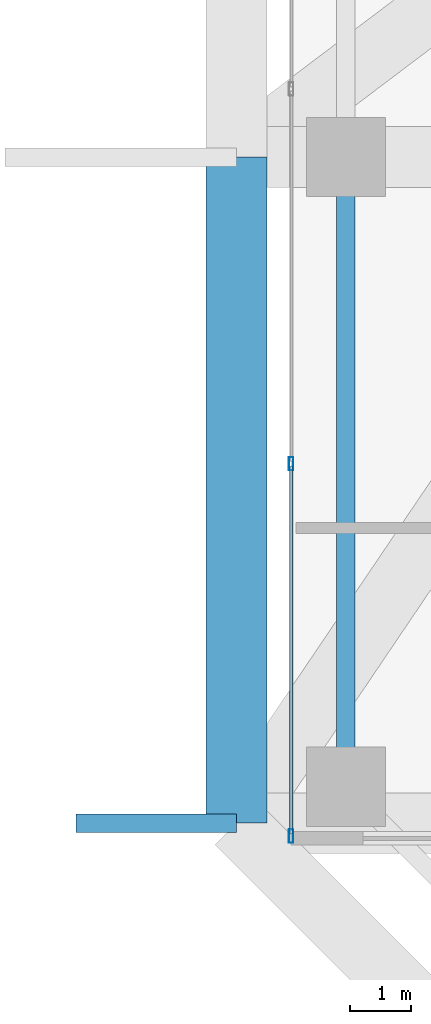
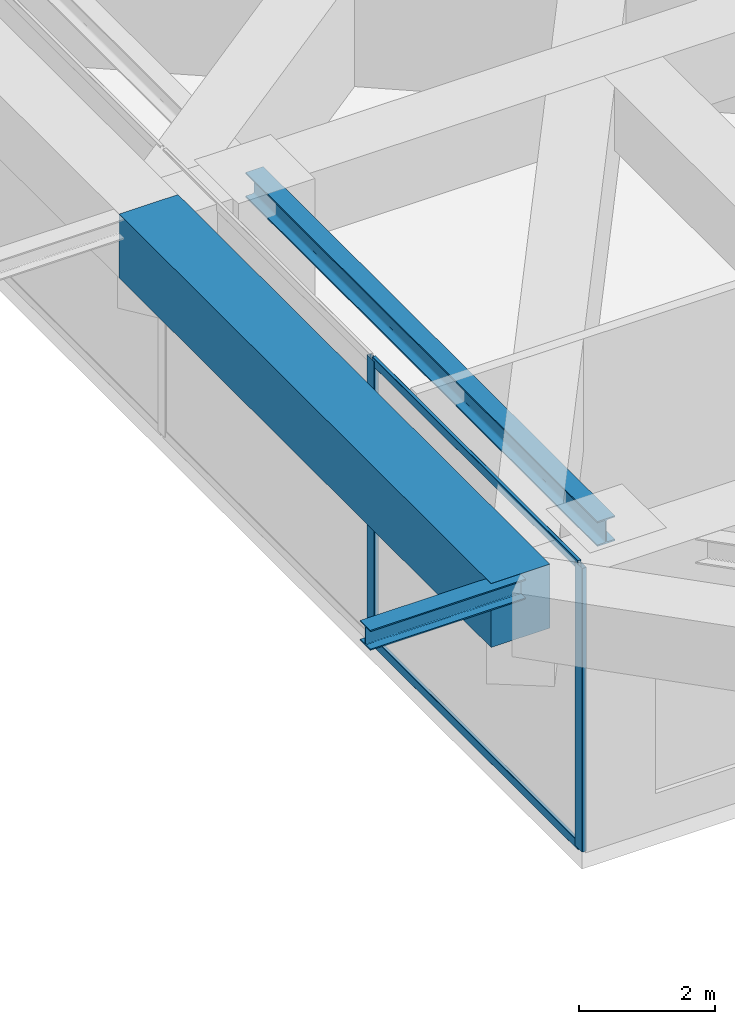
# One storey, part 3 of 38: 4 members, 3 beams, 1 element without a shape of its own.
"""IFC4 building model written with IfcOpenShell, lengths in metres."""

from ifc_helpers import new_model, si_unit, direction, frame, origin, origin_2d, place, context, subcontext, project, spatial, rectangle, hollow_rectangle, i_section, extrude, source, transform, mapped, material, layer, layer_set, material_profile, profile_set, type_object, element, aggregate, save


model = new_model("IFC4")

# Units and contexts
model_context = context("Model", 3, precision=1e-05, world=origin(), true_north=direction((0.0, 1.0)))
body_context = subcontext(model_context, "Body", "Model", "MODEL_VIEW")
ifc_project = project(units=[si_unit("LENGTHUNIT", "METRE"), si_unit("AREAUNIT", "SQUARE_METRE"), si_unit("VOLUMEUNIT", "CUBIC_METRE"), si_unit("PLANEANGLEUNIT", "RADIAN"), si_unit("MASSUNIT", "GRAM", prefix="KILO")], contexts=[model_context])

# Site, building, storey
site_placement = place(None, origin())
site = spatial("IfcSite", under=ifc_project, at=site_placement, CompositionType="ELEMENT")
building_placement = place(site_placement, origin())
building = spatial("IfcBuilding", under=site, at=building_placement, Name="Serunith Strait Residences", CompositionType="ELEMENT")
storey_placement = place(building_placement, frame((0.0, 0.0, 204.89990234375)))
storey = spatial("IfcBuildingStorey", under=building, at=storey_placement, Name="L51", CompositionType="ELEMENT", Elevation=204.89990234375)

# Beams
ifc_material_1 = material(Name="Steel S355J2", Category="steel")
ifc_material_profile_1 = material_profile(ifc_material_1, i_section(OverallWidth=0.300048828125, OverallDepth=0.449951171875, WebThickness=0.013916015625, FlangeThickness=0.02587890625, FilletRadius=0.027099609375, at=origin_2d()), Name="HEB 450")
ifc_profile_set_1 = profile_set([ifc_material_profile_1], Name="Steel S355J2")
beam_type_1 = type_object("IfcBeamType", Name="BM-HEB450", PredefinedType="BEAM", material=ifc_profile_set_1)
shared_shape_1 = source(origin(), body_context, "Body", "SweptSolid", [
    extrude(i_section(OverallWidth=0.300048828125, OverallDepth=0.449951171875, WebThickness=0.013916015625, FlangeThickness=0.02587890625, FilletRadius=0.027099609375, at=origin_2d()), origin(), (0.0, 0.0, 1.0), 10.35009765625),
])
beam_1_placement = place(storey_placement, frame((10.10009765625, 21.0, 4.882080078125), z_axis=(0.0, -1.0, 0.0), x_axis=(1.0, 0.0, 0.0)))
element("IfcBeam", 1, at=beam_1_placement, inside=storey, type_object=beam_type_1, Name="L51 Perimeter Ring Beam 15", PredefinedType="BEAM", context=body_context, shape_type="MappedRepresentation", body=[
    mapped(shared_shape_1, transform((0.0, 0.0, 0.0), scale=1.0)),
])
ifc_material_2 = material(Name="Concrete C80/95", Category="concrete")
ifc_material_profile_2 = material_profile(ifc_material_2, rectangle(XDim=1.0, YDim=1.14990234375, at=origin_2d()), Name="RC 1000x1150")
ifc_profile_set_2 = profile_set([ifc_material_profile_2], Name="Concrete C80/95")
beam_type_2 = type_object("IfcBeamType", Name="BM-XFER-1000x1150", PredefinedType="BEAM", material=ifc_profile_set_2)
shared_shape_2 = source(origin(), body_context, "Body", "SweptSolid", [
    extrude(rectangle(XDim=1.0, YDim=1.14990234375, at=origin_2d()), origin(), (0.0, 0.0, 1.0), 10.949951171875),
])
beam_2_placement = place(storey_placement, frame((8.300048828125, 21.0, 4.53515625), z_axis=(0.0, -1.0, 0.0), x_axis=(1.0, 0.0, 0.0)))
element("IfcBeam", 2, at=beam_2_placement, inside=storey, type_object=beam_type_2, Name="L51 Flare Upper Ring Transfer Girder 15", PredefinedType="BEAM", context=body_context, shape_type="MappedRepresentation", body=[
    mapped(shared_shape_2, transform((0.0, 0.0, 0.0), scale=1.0)),
])
ifc_material_profile_3 = material_profile(ifc_material_1, i_section(OverallWidth=0.300048828125, OverallDepth=0.360107421875, WebThickness=0.012451171875, FlangeThickness=0.0224609375, FilletRadius=0.027099609375, at=origin_2d()), Name="HEB 360")
ifc_profile_set_3 = profile_set([ifc_material_profile_3], Name="Steel S355J2")
beam_type_3 = type_object("IfcBeamType", Name="BM-HEB360", PredefinedType="BEAM", material=ifc_profile_set_3)
shared_shape_3 = source(origin(), body_context, "Body", "SweptSolid", [
    extrude(i_section(OverallWidth=0.300048828125, OverallDepth=0.360107421875, WebThickness=0.012451171875, FlangeThickness=0.0224609375, FilletRadius=0.027099609375, at=origin_2d()), origin(), (0.0, 0.0, 1.0), 2.638671875),
])
beam_3_placement = place(storey_placement, frame((8.300048828125, 10.050048828125, 4.927001953125), z_axis=(-1.0, 0.0, 0.0), x_axis=(0.0, -1.0, 0.0)))
element("IfcBeam", 3, at=beam_3_placement, inside=storey, type_object=beam_type_3, Name="L52 Cantilevered Balcony Rib TC-W1", PredefinedType="BEAM", context=body_context, shape_type="MappedRepresentation", body=[
    mapped(shared_shape_3, transform((0.0, 0.0, 0.0), scale=1.0)),
])

# Curtain wall, members
ifc_material_3 = material(Name="Pale-Silver PVDF Aluminium", Category="aluminium")
ifc_layer = layer(ifc_material_3, 0.199951171875, Name="Pale-Silver PVDF Aluminium")
ifc_layer_set = layer_set([ifc_layer], Name="Pale-Silver PVDF Aluminium")
curtain_wall_type = type_object("IfcCurtainWallType", Name="CW-SYS3", PredefinedType="NOTDEFINED", material=ifc_layer_set)
curtain_wall_placement = place(storey_placement, origin())
curtain_wall = element("IfcCurtainWall", 4, at=curtain_wall_placement, inside=storey, type_object=curtain_wall_type, Name="L51 W Unitised Fritted Curtain Wall", PredefinedType="NOTDEFINED")
ifc_material_profile_4 = material_profile(ifc_material_3, hollow_rectangle(XDim=0.074951171875, YDim=0.219970703125, WallThickness=0.00390625, InnerFilletRadius=0.006103515625, OuterFilletRadius=0.010009765625, at=origin_2d()), Name="ALU 220x75x4")
ifc_profile_set_4 = profile_set([ifc_material_profile_4], Name="Pale-Silver PVDF Aluminium")
member_type_1 = type_object("IfcMemberType", Name="CW-SYS3-MULL", PredefinedType="MULLION", material=ifc_profile_set_4)
shared_shape_4 = source(origin(), body_context, "Body", "SweptSolid", [
    extrude(hollow_rectangle(XDim=0.074951171875, YDim=0.219970703125, WallThickness=0.00390625, InnerFilletRadius=0.006103515625, OuterFilletRadius=0.010009765625, at=origin_2d()), origin(), (0.0, 0.0, 1.0), 5.09521484375),
])
member_1_placement = place(storey_placement, frame((9.199951171875, 15.9599609375, 0.0), z_axis=(0.0, 0.0, 1.0), x_axis=(1.0, 0.0, 0.0)))
member_1 = element("IfcMember", 5, at=member_1_placement, type_object=member_type_1, Name="CW-3 mullion 5", PredefinedType="MULLION", context=body_context, shape_type="MappedRepresentation", body=[
    mapped(shared_shape_4, transform((0.0, 0.0, 0.0), scale=1.0)),
])
member_2_placement = place(storey_placement, frame((9.199951171875, 9.83740234375, 0.0), z_axis=(0.0, 0.0, 1.0), x_axis=(1.0, 0.0, 0.0)))
member_2 = element("IfcMember", 6, at=member_2_placement, type_object=member_type_1, Name="CW-3 mullion 6", PredefinedType="MULLION", context=body_context, shape_type="MappedRepresentation", body=[
    mapped(shared_shape_4, transform((0.0, 0.0, 0.0), scale=1.0)),
])
ifc_material_profile_5 = material_profile(ifc_material_3, hollow_rectangle(XDim=0.06005859375, YDim=0.159912109375, WallThickness=0.00341796875, InnerFilletRadius=0.00537109375, OuterFilletRadius=0.0087890625, at=origin_2d()), Name="ALU 160x60x3.5")
ifc_profile_set_5 = profile_set([ifc_material_profile_5], Name="Pale-Silver PVDF Aluminium")
member_type_2 = type_object("IfcMemberType", Name="CW-SYS3-TRAN", PredefinedType="USERDEFINED", material=ifc_profile_set_5)
shared_shape_5 = source(origin(), body_context, "Body", "SweptSolid", [
    extrude(hollow_rectangle(XDim=0.06005859375, YDim=0.159912109375, WallThickness=0.00341796875, InnerFilletRadius=0.00537109375, OuterFilletRadius=0.0087890625, at=origin_2d()), origin(), (0.0, 0.0, 1.0), 6.047607421875),
])
member_3_placement = place(storey_placement, frame((9.199951171875, 15.922607421875, 0.030029296875), z_axis=(0.0, -1.0, 0.0), x_axis=(1.0, 0.0, 0.0)))
member_3 = element("IfcMember", 7, at=member_3_placement, type_object=member_type_2, Name="CW-3 transom 5.1", ObjectType="TRANSOM", PredefinedType="USERDEFINED", context=body_context, shape_type="MappedRepresentation", body=[
    mapped(shared_shape_5, transform((0.0, 0.0, 0.0), scale=1.0)),
])
member_4_placement = place(storey_placement, frame((9.199951171875, 15.922607421875, 5.065185546875), z_axis=(0.0, -1.0, 0.0), x_axis=(1.0, 0.0, 0.0)))
member_4 = element("IfcMember", 8, at=member_4_placement, type_object=member_type_2, Name="CW-3 transom 5.2", ObjectType="TRANSOM", PredefinedType="USERDEFINED", context=body_context, shape_type="MappedRepresentation", body=[
    mapped(shared_shape_5, transform((0.0, 0.0, 0.0), scale=1.0)),
])
aggregate(curtain_wall, [member_1, member_2, member_3, member_4])

save(model, "model.ifc")
